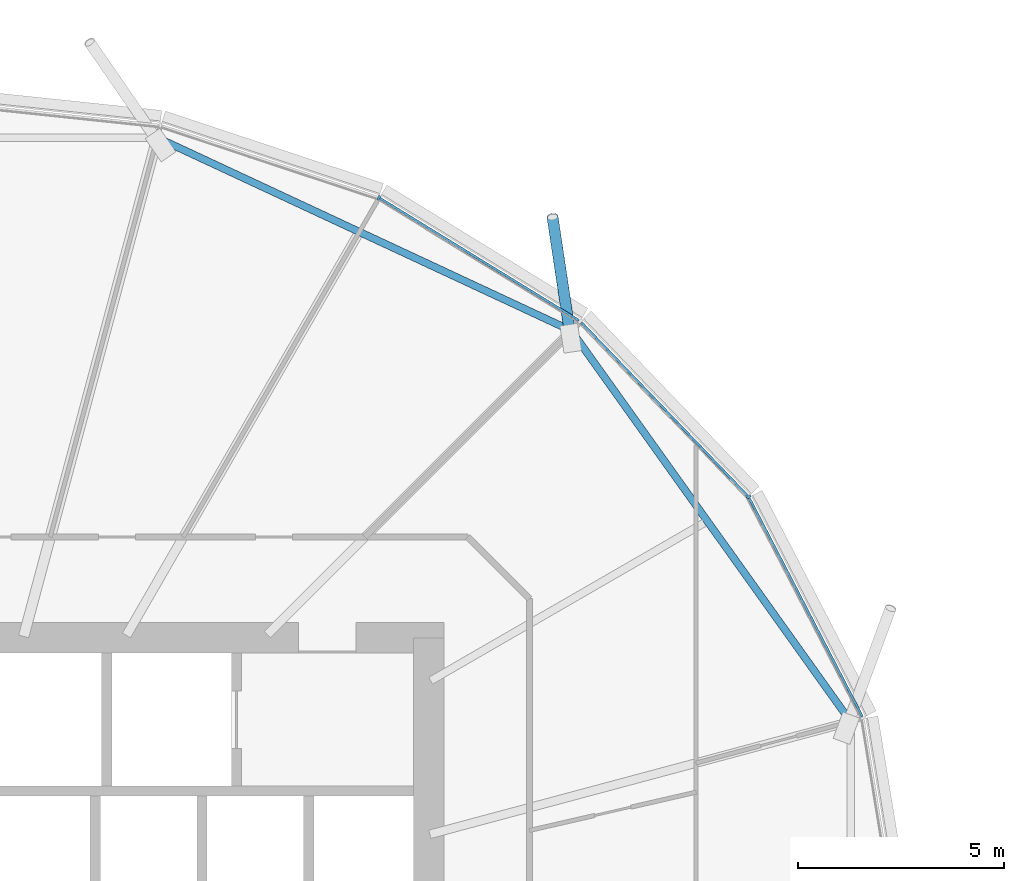
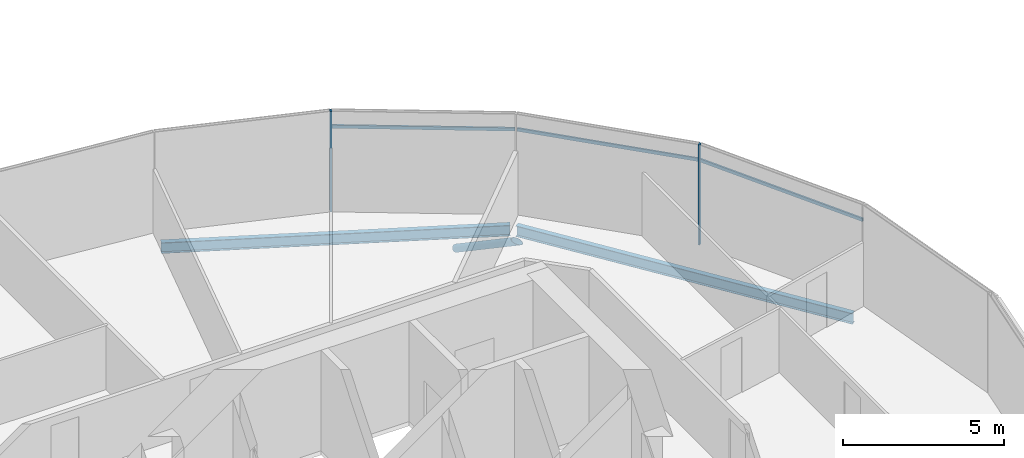
# One storey, part 10 of 39: 6 members, 2 beams, 1 element without a shape of its own.
"""IFC4 building model written with IfcOpenShell, lengths in metres."""

from ifc_helpers import new_model, si_unit, direction, frame, origin, origin_2d, place, context, subcontext, project, spatial, rectangle, hollow_circle, i_section, extrude, clip, halfspace, material, material_profile, profile_set, type_object, element, aggregate, save


model = new_model("IFC4")

# Units and contexts
model_context = context("Model", 3, precision=1e-05, world=origin(), true_north=direction((0.0, 1.0)))
body_context = subcontext(model_context, "Body", "Model", "MODEL_VIEW")
ifc_project = project(units=[si_unit("LENGTHUNIT", "METRE"), si_unit("AREAUNIT", "SQUARE_METRE"), si_unit("VOLUMEUNIT", "CUBIC_METRE"), si_unit("PLANEANGLEUNIT", "RADIAN"), si_unit("MASSUNIT", "GRAM", prefix="KILO")], contexts=[model_context])

# Site, building, storey
site_placement = place(None, origin())
site = spatial("IfcSite", under=ifc_project, at=site_placement, CompositionType="ELEMENT")
building_placement = place(site_placement, origin())
building = spatial("IfcBuilding", under=site, at=building_placement, Name="Rimbun Link Towers", CompositionType="ELEMENT")
storey_placement = place(building_placement, frame((0.0, 0.0, 100.60009765625)))
storey = spatial("IfcBuildingStorey", under=building, at=storey_placement, Name="L24", CompositionType="ELEMENT", Elevation=100.60009765625)

# Curtain wall, members
ifc_material_1 = material(Name="Aluminium 6063-T6 and low-iron glass", Category="aluminium")
curtain_wall_type = type_object("IfcCurtainWallType", Name="CW1-Z2 unitised vision wall (zone 2)", PredefinedType="NOTDEFINED", material=ifc_material_1)
curtain_wall_placement = place(storey_placement, origin())
curtain_wall = element("IfcCurtainWall", 1, at=curtain_wall_placement, inside=storey, type_object=curtain_wall_type, Name="CW1 L24 T1", PredefinedType="NOTDEFINED")
ifc_material_2 = material(Name="Aluminium 6063-T6", Category="aluminium")
ifc_material_profile_1 = material_profile(ifc_material_2, rectangle(XDim=0.1201171875, YDim=0.06005859375, at=origin_2d()), Name="MULLION 60X120")
ifc_profile_set_1 = profile_set([ifc_material_profile_1], Name="Aluminium 6063-T6")
member_type_1 = type_object("IfcMemberType", Name="CW1 mullion 60X120", PredefinedType="MULLION", material=ifc_profile_set_1)
member_1_placement = place(storey_placement, frame((-11.972412109375, 11.42529296875, 0.0), z_axis=(0.0, 0.0, 1.0), x_axis=(0.813351214919, 0.581772980801, 0.0)))
member_1 = element("IfcMember", 2, at=member_1_placement, type_object=member_type_1, Name="CW1 mullion", PredefinedType="MULLION", context=body_context, shape_type="SweptSolid", body=[
    extrude(rectangle(XDim=0.1201171875, YDim=0.06005859375, at=origin_2d()), origin(), (0.0, 0.0, 1.0), 3.7998046875),
])
member_2_placement = place(storey_placement, frame((-20.959716796875, 18.699951171875, 0.0), z_axis=(0.0, 0.0, 1.0), x_axis=(0.421698890318, 0.906735929532, 0.0)))
member_2 = element("IfcMember", 3, at=member_2_placement, type_object=member_type_1, Name="CW1 mullion", PredefinedType="MULLION", context=body_context, shape_type="SweptSolid", body=[
    extrude(rectangle(XDim=0.1201171875, YDim=0.06005859375, at=origin_2d()), origin(), (0.0, 0.0, 1.0), 3.7998046875),
])
ifc_material_3 = material(Name="Aluminium 6063-T6", Category="aluminium")
ifc_material_profile_2 = material_profile(ifc_material_3, rectangle(XDim=0.06005859375, YDim=0.1201171875, at=origin_2d()), Name="TRANSOM 60X120")
ifc_profile_set_2 = profile_set([ifc_material_profile_2], Name="Aluminium 6063-T6")
member_type_2 = type_object("IfcMemberType", Name="CW1 transom 60X120", PredefinedType="USERDEFINED", material=ifc_profile_set_2)
member_3_placement = place(storey_placement, frame((-11.955810546875, 11.390625, 3.199951171875), z_axis=(0.459557391844, -0.888148075268, 0.0), x_axis=(0.888148075268, 0.459557391844, 0.0)))
member_3 = element("IfcMember", 4, at=member_3_placement, type_object=member_type_2, Name="CW1 transom", ObjectType="TRANSOM", PredefinedType="USERDEFINED", context=body_context, shape_type="SweptSolid", body=[
    extrude(rectangle(XDim=0.06005859375, YDim=0.1201171875, at=origin_2d()), origin(), (0.0, 0.0, 1.0), 5.97607421875),
])
member_4_placement = place(storey_placement, frame((-16.039794921875, 15.666015625, 3.199951171875), z_axis=(0.692060682459, -0.72183932547, 0.0), x_axis=(0.72183932547, 0.692060682459, 0.0)))
member_4 = element("IfcMember", 5, at=member_4_placement, type_object=member_type_2, Name="CW1 transom", ObjectType="TRANSOM", PredefinedType="USERDEFINED", context=body_context, shape_type="SweptSolid", body=[
    extrude(rectangle(XDim=0.06005859375, YDim=0.1201171875, at=origin_2d()), origin(), (0.0, 0.0, 1.0), 5.83740234375),
])
member_5_placement = place(storey_placement, frame((-20.92919921875, 18.67919921875, 3.199951171875), z_axis=(0.852185710742, -0.52323944271, 0.0), x_axis=(0.52323944271, 0.852185710742, 0.0)))
member_5 = element("IfcMember", 6, at=member_5_placement, type_object=member_type_2, Name="CW1 transom", ObjectType="TRANSOM", PredefinedType="USERDEFINED", context=body_context, shape_type="SweptSolid", body=[
    extrude(rectangle(XDim=0.06005859375, YDim=0.1201171875, at=origin_2d()), origin(), (0.0, 0.0, 1.0), 5.669677734375),
])
aggregate(curtain_wall, [member_1, member_2, member_3, member_4, member_5])

# Member
ifc_material_4 = material(Name="Steel S355J2H", Category="steel")
ifc_material_profile_3 = material_profile(ifc_material_4, hollow_circle(Radius=0.136474609375, WallThickness=0.012451171875, at=origin_2d()), Name="CHS 273x12.5")
ifc_profile_set_3 = profile_set([ifc_material_profile_3], Name="Steel S355J2H")
member_type_3 = type_object("IfcMemberType", Name="Floor edge link CHS 273x12.5", PredefinedType="BRACE", material=ifc_profile_set_3)
member_6_placement = place(storey_placement, frame((-16.319580078125, 15.430419921875, -0.80859375), z_axis=(-0.125415670754, 0.834800322601, -0.536077728426), x_axis=(-0.988902331728, -0.148567083512, 0.0)))
element("IfcMember", 7, at=member_6_placement, inside=storey, type_object=member_type_3, Name="Floor edge link T1 L24 03", PredefinedType="BRACE", context=body_context, shape_type="Clipping", body=[
    clip(extrude(hollow_circle(Radius=0.136474609375, WallThickness=0.012451171875, at=origin_2d()), frame((0.0, 0.0, -0.448486328125)), (0.0, 0.0, 1.0), 3.818359375), halfspace(frame((0.0, 0.0, -0.21142578125), z_axis=(0.0, 0.844168625978, -0.536077728426)), False)),
])

# Beams
ifc_material_5 = material(Name="Steel S355J2", Category="steel")
ifc_material_profile_4 = material_profile(ifc_material_5, i_section(OverallWidth=0.177978515625, OverallDepth=0.406494140625, WebThickness=0.0078125, FlangeThickness=0.0126953125, at=origin_2d()), Name="UB 406x178x60")
ifc_profile_set_4 = profile_set([ifc_material_profile_4], Name="Steel S355J2")
beam_type = type_object("IfcBeamType", Name="UB 406x178x60", PredefinedType="BEAM", material=ifc_profile_set_4)
beam_1_placement = place(storey_placement, frame((-9.56005859375, 6.05517578125, -0.36328125), z_axis=(-0.581367171952, 0.813641328459, 0.0), x_axis=(-0.813641328459, -0.581367171952, 0.0)))
element("IfcBeam", 8, at=beam_1_placement, inside=storey, type_object=beam_type, Name="Edge beam T1 L24 01-03", PredefinedType="BEAM", context=body_context, shape_type="SweptSolid", body=[
    extrude(i_section(OverallWidth=0.177978515625, OverallDepth=0.406494140625, WebThickness=0.0078125, FlangeThickness=0.0126953125, at=origin_2d()), origin(), (0.0, 0.0, 1.0), 11.458984375),
])
beam_2_placement = place(storey_placement, frame((-16.385986328125, 15.51318359375, -0.36328125), z_axis=(-0.906379422837, 0.422464604266, 0.0), x_axis=(-0.422464604266, -0.906379422837, 0.0)))
element("IfcBeam", 9, at=beam_2_placement, inside=storey, type_object=beam_type, Name="Edge beam T1 L24 03-05", PredefinedType="BEAM", context=body_context, shape_type="SweptSolid", body=[
    extrude(i_section(OverallWidth=0.177978515625, OverallDepth=0.406494140625, WebThickness=0.0078125, FlangeThickness=0.0126953125, at=origin_2d()), origin(), (0.0, 0.0, 1.0), 10.862060546875),
])

save(model, "model.ifc")
